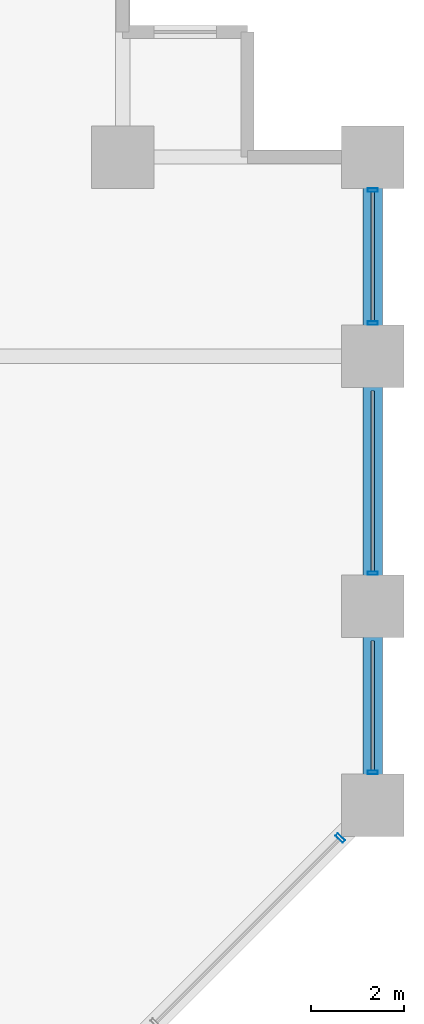
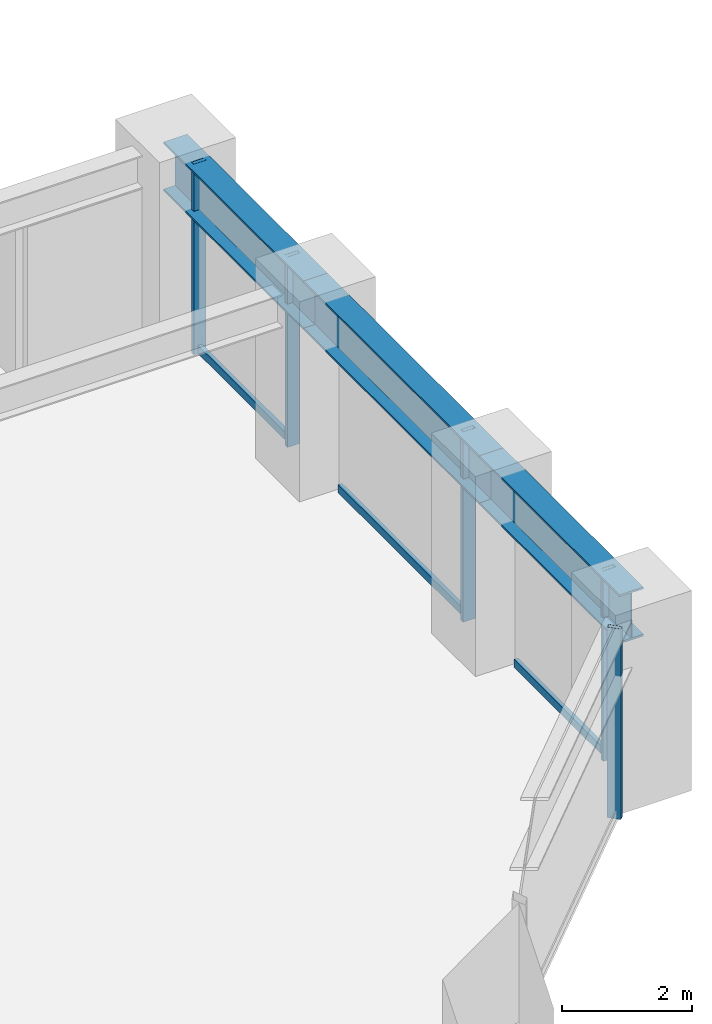
# One storey, part 17 of 24: 8 members, 3 beams, 2 elements without a shape of their own.
"""IFC4 building model written with IfcOpenShell, lengths in metres."""

from ifc_helpers import new_model, si_unit, direction, frame, origin, origin_2d, place, context, subcontext, project, spatial, hollow_rectangle, i_section, extrude, material, layer, layer_set, material_profile, profile_set, type_object, element, aggregate, save


model = new_model("IFC4")

# Units and contexts
model_context = context("Model", 3, precision=1e-05, world=origin(), true_north=direction((0.0, 1.0)))
body_context = subcontext(model_context, "Body", "Model", "MODEL_VIEW")
ifc_project = project(units=[si_unit("LENGTHUNIT", "METRE"), si_unit("AREAUNIT", "SQUARE_METRE"), si_unit("VOLUMEUNIT", "CUBIC_METRE"), si_unit("PLANEANGLEUNIT", "RADIAN"), si_unit("MASSUNIT", "GRAM", prefix="KILO")], contexts=[model_context])

# Site, building, storey
site_placement = place(None, origin())
site = spatial("IfcSite", under=ifc_project, at=site_placement, CompositionType="ELEMENT")
building_placement = place(site_placement, origin())
building = spatial("IfcBuilding", under=site, at=building_placement, Name="Surkhivell Harbour Commons", CompositionType="ELEMENT")
storey_placement = place(building_placement, frame((0.0, 0.0, 30.0)))
storey = spatial("IfcBuildingStorey", under=building, at=storey_placement, Name="L07", CompositionType="ELEMENT", Elevation=30.0)

# Beams
ifc_material_1 = material(Name="Steel S460", Category="steel")
ifc_material_profile_1 = material_profile(ifc_material_1, i_section(OverallWidth=0.419921875, OverallDepth=0.9208984375, WebThickness=0.021484375, FlangeThickness=0.03662109375, at=origin_2d()), Name="UB914x419x388")
ifc_profile_set_1 = profile_set([ifc_material_profile_1], Name="Steel S460")
beam_type = type_object("IfcBeamType", Name="BM-SPN-914A", PredefinedType="SPANDREL", material=ifc_profile_set_1)
beam_1_placement = place(storey_placement, frame((32.39990234375, 6.5, 3.109619140625), z_axis=(0.0, 1.0, 0.0), x_axis=(-1.0, 0.0, 0.0)))
element("IfcBeam", 1, at=beam_1_placement, inside=storey, type_object=beam_type, Name="L07 Tube Spandrel (32.4,6.5)", PredefinedType="SPANDREL", context=body_context, shape_type="SweptSolid", body=[
    extrude(i_section(OverallWidth=0.419921875, OverallDepth=0.9208984375, WebThickness=0.021484375, FlangeThickness=0.03662109375, at=origin_2d()), origin(), (0.0, 0.0, 1.0), 4.300048828125),
])
beam_2_placement = place(storey_placement, frame((32.39990234375, 10.800048828125, 3.109619140625), z_axis=(0.0, 1.0, 0.0), x_axis=(-1.0, 0.0, 0.0)))
element("IfcBeam", 2, at=beam_2_placement, inside=storey, type_object=beam_type, Name="L07 Tube Spandrel (32.4,10.8)", PredefinedType="SPANDREL", context=body_context, shape_type="SweptSolid", body=[
    extrude(i_section(OverallWidth=0.419921875, OverallDepth=0.9208984375, WebThickness=0.021484375, FlangeThickness=0.03662109375, at=origin_2d()), origin(), (0.0, 0.0, 1.0), 5.39990234375),
])
beam_3_placement = place(storey_placement, frame((32.39990234375, 16.199951171875, 3.109619140625), z_axis=(0.0, 1.0, 0.0), x_axis=(-1.0, 0.0, 0.0)))
element("IfcBeam", 3, at=beam_3_placement, inside=storey, type_object=beam_type, Name="L07 Tube Spandrel (32.4,16.2)", PredefinedType="SPANDREL", context=body_context, shape_type="SweptSolid", body=[
    extrude(i_section(OverallWidth=0.419921875, OverallDepth=0.9208984375, WebThickness=0.021484375, FlangeThickness=0.03662109375, at=origin_2d()), origin(), (0.0, 0.0, 1.0), 4.300048828125),
])

# Curtain wall, member
ifc_material_2 = material(Name="Anodised pale-metal aluminium and insulated glazing", Category="aluminium")
ifc_layer = layer(ifc_material_2, 0.219970703125)
ifc_layer_set = layer_set([ifc_layer], Name="Anodised pale-metal aluminium and insulated glazing")
curtain_wall_type = type_object("IfcCurtainWallType", Name="CW-SYS-Z1", PredefinedType="NOTDEFINED", material=ifc_layer_set)
curtain_wall_1_placement = place(storey_placement, origin())
curtain_wall_1 = element("IfcCurtainWall", 4, at=curtain_wall_1_placement, inside=storey, type_object=curtain_wall_type, Name="L07 Curtain Wall CW-L07-E01", PredefinedType="NOTDEFINED")
ifc_material_3 = material(Name="Anodised pale-metal aluminium alloy 6063-T6", Category="aluminium")
ifc_material_profile_2 = material_profile(ifc_material_3, hollow_rectangle(XDim=0.074951171875, YDim=0.219970703125, WallThickness=0.00390625, at=origin_2d()), Name="ALU-MULL-75x220")
ifc_profile_set_2 = profile_set([ifc_material_profile_2], Name="Anodised pale-metal aluminium alloy 6063-T6")
member_type_1 = type_object("IfcMemberType", Name="CWM-220", PredefinedType="MULLION", material=ifc_profile_set_2)
member_1_placement = place(storey_placement, frame((31.69677734375, 5.796630859375, 0.0), z_axis=(0.0, 0.0, 1.0), x_axis=(0.707106781187, 0.707106781187, 0.0)))
member_1 = element("IfcMember", 5, at=member_1_placement, type_object=member_type_1, Name="CW-Z1 mullion 7", PredefinedType="MULLION", context=body_context, shape_type="SweptSolid", body=[
    extrude(hollow_rectangle(XDim=0.074951171875, YDim=0.219970703125, WallThickness=0.00390625, at=origin_2d()), origin(), (0.0, 0.0, 1.0), 3.570068359375),
])
aggregate(curtain_wall_1, [member_1])

# Curtain wall, members
curtain_wall_2_placement = place(storey_placement, origin())
curtain_wall_2 = element("IfcCurtainWall", 6, at=curtain_wall_2_placement, inside=storey, type_object=curtain_wall_type, Name="L07 Curtain Wall CW-L07-E02", PredefinedType="NOTDEFINED")
member_2_placement = place(storey_placement, frame((32.39990234375, 7.214599609375, 0.0), z_axis=(0.0, 0.0, 1.0), x_axis=(0.0, 1.0, 0.0)))
member_2 = element("IfcMember", 7, at=member_2_placement, type_object=member_type_1, Name="CW-Z1 mullion 1", PredefinedType="MULLION", context=body_context, shape_type="SweptSolid", body=[
    extrude(hollow_rectangle(XDim=0.074951171875, YDim=0.219970703125, WallThickness=0.00390625, at=origin_2d()), origin(), (0.0, 0.0, 1.0), 3.570068359375),
])
member_3_placement = place(storey_placement, frame((32.39990234375, 11.514404296875, 0.0), z_axis=(0.0, 0.0, 1.0), x_axis=(0.0, 1.0, 0.0)))
member_3 = element("IfcMember", 8, at=member_3_placement, type_object=member_type_1, Name="CW-Z1 mullion 2", PredefinedType="MULLION", context=body_context, shape_type="SweptSolid", body=[
    extrude(hollow_rectangle(XDim=0.074951171875, YDim=0.219970703125, WallThickness=0.00390625, at=origin_2d()), origin(), (0.0, 0.0, 1.0), 3.570068359375),
])
member_4_placement = place(storey_placement, frame((32.39990234375, 16.91455078125, 0.0), z_axis=(0.0, 0.0, 1.0), x_axis=(0.0, 1.0, 0.0)))
member_4 = element("IfcMember", 9, at=member_4_placement, type_object=member_type_1, Name="CW-Z1 mullion 3", PredefinedType="MULLION", context=body_context, shape_type="SweptSolid", body=[
    extrude(hollow_rectangle(XDim=0.074951171875, YDim=0.219970703125, WallThickness=0.00390625, at=origin_2d()), origin(), (0.0, 0.0, 1.0), 3.570068359375),
])
member_5_placement = place(storey_placement, frame((32.39990234375, 19.785400390625, 0.0), z_axis=(0.0, 0.0, 1.0), x_axis=(0.0, 1.0, 0.0)))
member_5 = element("IfcMember", 10, at=member_5_placement, type_object=member_type_1, Name="CW-Z1 mullion 4", PredefinedType="MULLION", context=body_context, shape_type="SweptSolid", body=[
    extrude(hollow_rectangle(XDim=0.074951171875, YDim=0.219970703125, WallThickness=0.00390625, at=origin_2d()), origin(), (0.0, 0.0, 1.0), 3.570068359375),
])
ifc_material_profile_3 = material_profile(ifc_material_3, hollow_rectangle(XDim=0.074951171875, YDim=0.14990234375, WallThickness=0.00341796875, at=origin_2d()), Name="ALU-TRAN-75x150")
ifc_profile_set_3 = profile_set([ifc_material_profile_3], Name="Anodised pale-metal aluminium alloy 6063-T6")
member_type_2 = type_object("IfcMemberType", Name="CWT-150", PredefinedType="USERDEFINED", material=ifc_profile_set_3)
member_6_placement = place(storey_placement, frame((32.39990234375, 7.251953125, 0.074951171875), z_axis=(0.0, 1.0, 0.0), x_axis=(-1.0, 0.0, 0.0)))
member_6 = element("IfcMember", 11, at=member_6_placement, type_object=member_type_2, Name="CW-Z1 transom 1.1", ObjectType="TRANSOM", PredefinedType="USERDEFINED", context=body_context, shape_type="SweptSolid", body=[
    extrude(hollow_rectangle(XDim=0.074951171875, YDim=0.14990234375, WallThickness=0.00341796875, at=origin_2d()), origin(), (0.0, 0.0, 1.0), 2.796142578125),
])
member_7_placement = place(storey_placement, frame((32.39990234375, 11.552001953125, 0.074951171875), z_axis=(0.0, 1.0, 0.0), x_axis=(-1.0, 0.0, 0.0)))
member_7 = element("IfcMember", 12, at=member_7_placement, type_object=member_type_2, Name="CW-Z1 transom 2.1", ObjectType="TRANSOM", PredefinedType="USERDEFINED", context=body_context, shape_type="SweptSolid", body=[
    extrude(hollow_rectangle(XDim=0.074951171875, YDim=0.14990234375, WallThickness=0.00341796875, at=origin_2d()), origin(), (0.0, 0.0, 1.0), 3.89599609375),
])
member_8_placement = place(storey_placement, frame((32.39990234375, 16.951904296875, 0.074951171875), z_axis=(0.0, 1.0, 0.0), x_axis=(-1.0, 0.0, 0.0)))
member_8 = element("IfcMember", 13, at=member_8_placement, type_object=member_type_2, Name="CW-Z1 transom 3.1", ObjectType="TRANSOM", PredefinedType="USERDEFINED", context=body_context, shape_type="SweptSolid", body=[
    extrude(hollow_rectangle(XDim=0.074951171875, YDim=0.14990234375, WallThickness=0.00341796875, at=origin_2d()), origin(), (0.0, 0.0, 1.0), 2.796142578125),
])
aggregate(curtain_wall_2, [member_2, member_6, member_3, member_7, member_4, member_5, member_8])

save(model, "model.ifc")
